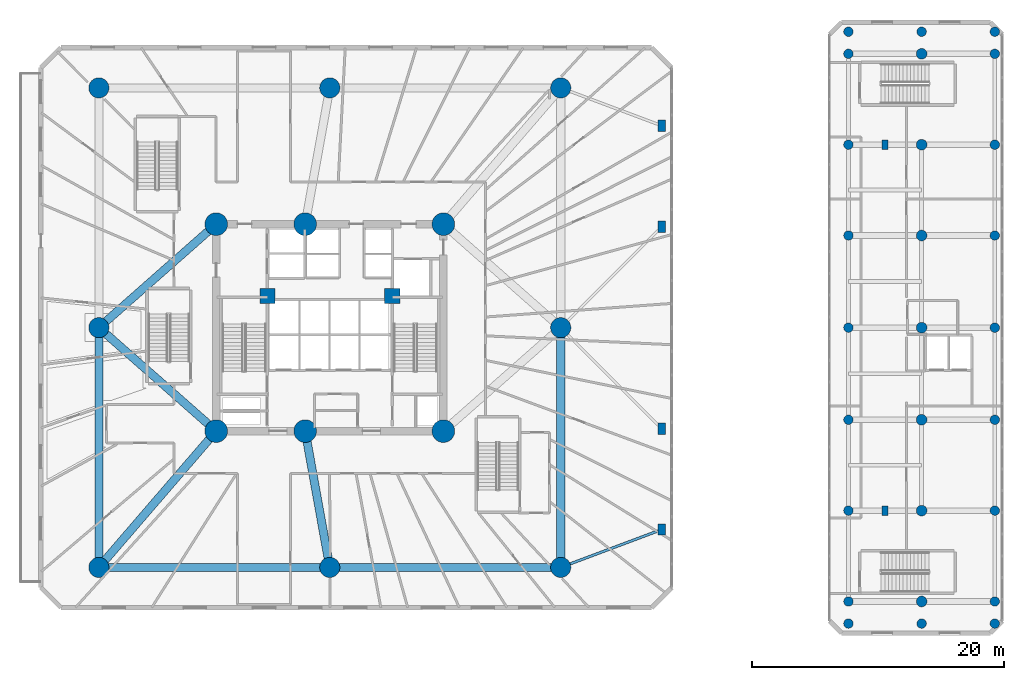
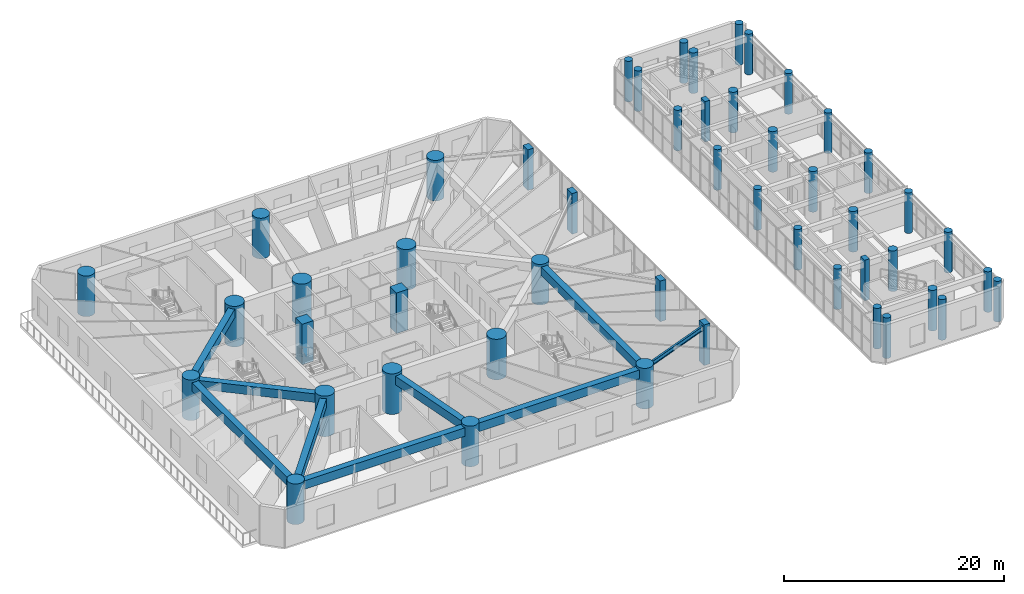
# One storey, part 1 of 24: 49 columns, 9 beams.
"""IFC4 building model written with IfcOpenShell, lengths in metres."""

from ifc_helpers import new_model, si_unit, direction, frame, origin, origin_with_axes, origin_2d, place, context, subcontext, project, spatial, rectangle, circle, i_section, extrude, source, transform, mapped, material, material_profile, profile_set, type_object, element, save


model = new_model("IFC4")

# Units and contexts
model_context = context("Model", 3, precision=1e-05, world=origin(), true_north=direction((0.0, 1.0)))
body_context = subcontext(model_context, "Body", "Model", "MODEL_VIEW")
ifc_project = project(units=[si_unit("LENGTHUNIT", "METRE"), si_unit("AREAUNIT", "SQUARE_METRE"), si_unit("VOLUMEUNIT", "CUBIC_METRE"), si_unit("PLANEANGLEUNIT", "RADIAN"), si_unit("MASSUNIT", "GRAM", prefix="KILO")], contexts=[model_context])

# Site, building, storey
site_placement = place(None, origin())
site = spatial("IfcSite", under=ifc_project, at=site_placement, CompositionType="ELEMENT")
building_placement = place(site_placement, origin())
building = spatial("IfcBuilding", under=site, at=building_placement, Name="Karkom Vertical University and Central Library", CompositionType="ELEMENT")
storey_placement = place(building_placement, frame((0.0, 0.0, 13.5)))
storey = spatial("IfcBuildingStorey", under=building, at=storey_placement, Name="L03", CompositionType="ELEMENT", Elevation=13.5)

# Columns
ifc_material_1 = material(Name="Concrete C40/50", Category="concrete")
ifc_material_profile_1 = material_profile(ifc_material_1, circle(Radius=0.375, at=origin_2d()), Name="RC-D750")
ifc_profile_set_1 = profile_set([ifc_material_profile_1], Name="Concrete C40/50")
column_type_1 = type_object("IfcColumnType", Name="STR-COL-C-LB2", PredefinedType="COLUMN", material=ifc_profile_set_1)
shared_shape_1 = source(origin_with_axes(), body_context, "Body", "SweptSolid", [
    extrude(circle(Radius=0.375, at=origin_2d()), origin(), (0.0, 0.0, 1.0), 4.5),
])
for number, where, z_axis, x_axis, name in (
    (1, (69.60009765625, 3.050048828125, 0.0), (0.0, 0.0, 1.0), (1.0, 0.0, 0.0), "Level 03 Library Vault End Column"),
    (2, (69.60009765625, 49.949951171875, 0.0), (0.0, 0.0, 1.0), (1.0, 0.0, 0.0), "Level 03 Library Vault End Column"),
    (3, (75.39990234375, 3.050048828125, 0.0), (0.0, 0.0, 1.0), (1.0, 0.0, 0.0), "Level 03 Library Vault End Column"),
    (4, (75.39990234375, 49.949951171875, 0.0), (0.0, 0.0, 1.0), (1.0, 0.0, 0.0), "Level 03 Library Vault End Column"),
    (5, (81.199951171875, 3.050048828125, 0.0), (0.0, 0.0, 1.0), (1.0, 0.0, 0.0), "Level 03 Library Vault End Column"),
    (6, (81.199951171875, 49.949951171875, 0.0), (0.0, 0.0, 1.0), (1.0, 0.0, 0.0), "Level 03 Library Vault End Column"),
    (7, (69.60009765625, 4.800048828125, 0.0), (0.0, 0.0, 1.0), (1.0, 0.0, 0.0), "Level 03 Central Library Column LC-1-1"),
    (8, (69.60009765625, 12.0, 0.0), (0.0, 0.0, 1.0), (1.0, 0.0, 0.0), "Level 03 Central Library Column LC-1-2"),
    (9, (69.60009765625, 19.199951171875, 0.0), (0.0, 0.0, 1.0), (1.0, 0.0, 0.0), "Level 03 Central Library Column LC-1-3"),
    (10, (69.60009765625, 26.5, 0.0), (0.0, 0.0, 1.0), (1.0, 0.0, 0.0), "Level 03 Central Library Column LC-1-4"),
    (11, (69.60009765625, 33.800048828125, 0.0), (0.0, 0.0, 1.0), (1.0, 0.0, 0.0), "Level 03 Central Library Column LC-1-5"),
    (12, (69.60009765625, 41.0, 0.0), (0.0, 0.0, 1.0), (1.0, 0.0, 0.0), "Level 03 Central Library Column LC-1-6"),
    (13, (69.60009765625, 48.199951171875, 0.0), (0.0, 0.0, 1.0), (1.0, 0.0, 0.0), "Level 03 Central Library Column LC-1-7"),
    (14, (81.199951171875, 4.800048828125, 0.0), (0.0, 0.0, 1.0), (1.0, 0.0, 0.0), "Level 03 Central Library Column LC-3-1"),
    (15, (81.199951171875, 12.0, 0.0), (0.0, 0.0, 1.0), (1.0, 0.0, 0.0), "Level 03 Central Library Column LC-3-2"),
    (16, (81.199951171875, 19.199951171875, 0.0), (0.0, 0.0, 1.0), (1.0, 0.0, 0.0), "Level 03 Central Library Column LC-3-3"),
    (17, (81.199951171875, 26.5, 0.0), (0.0, 0.0, 1.0), (1.0, 0.0, 0.0), "Level 03 Central Library Column LC-3-4"),
    (18, (81.199951171875, 33.800048828125, 0.0), (0.0, 0.0, 1.0), (1.0, 0.0, 0.0), "Level 03 Central Library Column LC-3-5"),
    (19, (81.199951171875, 41.0, 0.0), (0.0, 0.0, 1.0), (1.0, 0.0, 0.0), "Level 03 Central Library Column LC-3-6"),
    (20, (81.199951171875, 48.199951171875, 0.0), (0.0, 0.0, 1.0), (1.0, 0.0, 0.0), "Level 03 Central Library Column LC-3-7"),
):
    element("IfcColumn", number, at=place(storey_placement, frame(where, z_axis=z_axis, x_axis=x_axis)), inside=storey, type_object=column_type_1, Name=name, PredefinedType="COLUMN", context=body_context, shape_type="MappedRepresentation", body=[
        mapped(shared_shape_1, transform((0.0, 0.0, 0.0), scale=1.0)),
    ])
ifc_material_2 = material(Name="Concrete C50/60", Category="concrete")
ifc_material_profile_2 = material_profile(ifc_material_2, circle(Radius=0.89990234375, at=origin_2d()), Name="CFT-D1800")
ifc_profile_set_2 = profile_set([ifc_material_profile_2], Name="Concrete C50/60")
column_type_2 = type_object("IfcColumnType", Name="STR-COL-C-SC1", PredefinedType="COLUMN", material=ifc_profile_set_2)
shared_shape_2 = source(origin_with_axes(), body_context, "Body", "SweptSolid", [
    extrude(circle(Radius=0.89990234375, at=origin_2d()), origin(), (0.0, 0.0, 1.0), 4.5),
])
for number, where, z_axis, x_axis, name in (
    (21, (19.5, 18.300048828125, 0.0), (0.0, 0.0, 1.0), (1.0, 0.0, 0.0), "Level 03 Spine Mega-Column SC-1"),
    (22, (26.550048828125, 18.300048828125, 0.0), (0.0, 0.0, 1.0), (1.0, 0.0, 0.0), "Level 03 Spine Mega-Column SC-2"),
    (23, (37.5, 18.300048828125, 0.0), (0.0, 0.0, 1.0), (1.0, 0.0, 0.0), "Level 03 Spine Mega-Column SC-3"),
    (24, (19.5, 34.699951171875, 0.0), (0.0, 0.0, 1.0), (1.0, 0.0, 0.0), "Level 03 Spine Mega-Column SC-4"),
    (25, (26.550048828125, 34.699951171875, 0.0), (0.0, 0.0, 1.0), (1.0, 0.0, 0.0), "Level 03 Spine Mega-Column SC-5"),
    (26, (37.5, 34.699951171875, 0.0), (0.0, 0.0, 1.0), (1.0, 0.0, 0.0), "Level 03 Spine Mega-Column SC-6"),
):
    element("IfcColumn", number, at=place(storey_placement, frame(where, z_axis=z_axis, x_axis=x_axis)), inside=storey, type_object=column_type_2, Name=name, PredefinedType="COLUMN", context=body_context, shape_type="MappedRepresentation", body=[
        mapped(shared_shape_2, transform((0.0, 0.0, 0.0), scale=1.0)),
    ])
ifc_material_profile_3 = material_profile(ifc_material_2, rectangle(XDim=1.199951171875, YDim=1.199951171875, at=origin_2d()), Name="RC-1200x1200")
ifc_profile_set_3 = profile_set([ifc_material_profile_3], Name="Concrete C50/60")
column_type_3 = type_object("IfcColumnType", Name="STR-COL-C-CC1", PredefinedType="COLUMN", material=ifc_profile_set_3)
shared_shape_3 = source(origin_with_axes(), body_context, "Body", "SweptSolid", [
    extrude(rectangle(XDim=1.199951171875, YDim=1.199951171875, at=origin_2d()), origin(), (0.0, 0.0, 1.0), 4.5),
])
for number, where, z_axis, x_axis, name in (
    (27, (23.550048828125, 29.0, 0.0), (0.0, 0.0, 1.0), (1.0, 0.0, 0.0), "Level 03 Core Node Column CC-1"),
    (28, (33.449951171875, 29.0, 0.0), (0.0, 0.0, 1.0), (1.0, 0.0, 0.0), "Level 03 Core Node Column CC-2"),
):
    element("IfcColumn", number, at=place(storey_placement, frame(where, z_axis=z_axis, x_axis=x_axis)), inside=storey, type_object=column_type_3, Name=name, PredefinedType="COLUMN", context=body_context, shape_type="MappedRepresentation", body=[
        mapped(shared_shape_3, transform((0.0, 0.0, 0.0), scale=1.0)),
    ])
ifc_material_3 = material(Name="Precast concrete C45/55", Category="concrete")
ifc_material_profile_4 = material_profile(ifc_material_3, rectangle(XDim=0.60009765625, YDim=0.89990234375, at=origin_2d()), Name="PIL-600x900")
ifc_profile_set_4 = profile_set([ifc_material_profile_4], Name="Precast concrete C45/55")
column_type_4 = type_object("IfcColumnType", Name="STR-COL-PL-ARC1", PredefinedType="PILASTER", material=ifc_profile_set_4)
shared_shape_4 = source(origin_with_axes(), body_context, "Body", "SweptSolid", [
    extrude(rectangle(XDim=0.60009765625, YDim=0.89990234375, at=origin_2d()), origin(), (0.0, 0.0, 1.0), 4.5),
])
for number, where, z_axis, x_axis, name in (
    (29, (54.800048828125, 10.5, 0.0), (0.0, 0.0, 1.0), (1.0, 0.0, 0.0), "Level 03 Podium Arcade Pilaster PIL-1"),
    (30, (54.800048828125, 18.5, 0.0), (0.0, 0.0, 1.0), (1.0, 0.0, 0.0), "Level 03 Podium Arcade Pilaster PIL-2"),
    (31, (54.800048828125, 34.5, 0.0), (0.0, 0.0, 1.0), (1.0, 0.0, 0.0), "Level 03 Podium Arcade Pilaster PIL-3"),
    (32, (54.800048828125, 42.5, 0.0), (0.0, 0.0, 1.0), (1.0, 0.0, 0.0), "Level 03 Podium Arcade Pilaster PIL-4"),
):
    element("IfcColumn", number, at=place(storey_placement, frame(where, z_axis=z_axis, x_axis=x_axis)), inside=storey, type_object=column_type_4, Name=name, PredefinedType="PILASTER", context=body_context, shape_type="MappedRepresentation", body=[
        mapped(shared_shape_4, transform((0.0, 0.0, 0.0), scale=1.0)),
    ])
ifc_material_4 = material(Name="Concrete C45/55", Category="concrete")
ifc_material_profile_5 = material_profile(ifc_material_4, circle(Radius=0.425048828125, at=origin_2d()), Name="RC-D850")
ifc_profile_set_5 = profile_set([ifc_material_profile_5], Name="Concrete C45/55")
column_type_5 = type_object("IfcColumnType", Name="STR-COL-C-LB1", PredefinedType="COLUMN", material=ifc_profile_set_5)
shared_shape_5 = source(origin_with_axes(), body_context, "Body", "SweptSolid", [
    extrude(circle(Radius=0.425048828125, at=origin_2d()), origin(), (0.0, 0.0, 1.0), 4.5),
])
for number, where, z_axis, x_axis, name in (
    (33, (75.39990234375, 4.800048828125, 0.0), (0.0, 0.0, 1.0), (1.0, 0.0, 0.0), "Level 03 Central Library Column LC-2-1"),
    (34, (75.39990234375, 12.0, 0.0), (0.0, 0.0, 1.0), (1.0, 0.0, 0.0), "Level 03 Central Library Column LC-2-2"),
    (35, (75.39990234375, 19.199951171875, 0.0), (0.0, 0.0, 1.0), (1.0, 0.0, 0.0), "Level 03 Central Library Column LC-2-3"),
    (36, (75.39990234375, 26.5, 0.0), (0.0, 0.0, 1.0), (1.0, 0.0, 0.0), "Level 03 Central Library Column LC-2-4"),
    (37, (75.39990234375, 33.800048828125, 0.0), (0.0, 0.0, 1.0), (1.0, 0.0, 0.0), "Level 03 Central Library Column LC-2-5"),
    (38, (75.39990234375, 41.0, 0.0), (0.0, 0.0, 1.0), (1.0, 0.0, 0.0), "Level 03 Central Library Column LC-2-6"),
    (39, (75.39990234375, 48.199951171875, 0.0), (0.0, 0.0, 1.0), (1.0, 0.0, 0.0), "Level 03 Central Library Column LC-2-7"),
):
    element("IfcColumn", number, at=place(storey_placement, frame(where, z_axis=z_axis, x_axis=x_axis)), inside=storey, type_object=column_type_5, Name=name, PredefinedType="COLUMN", context=body_context, shape_type="MappedRepresentation", body=[
        mapped(shared_shape_5, transform((0.0, 0.0, 0.0), scale=1.0)),
    ])
ifc_material_profile_6 = material_profile(ifc_material_2, circle(Radius=0.800048828125, at=origin_2d()), Name="CFT-D1600")
ifc_profile_set_6 = profile_set([ifc_material_profile_6], Name="Concrete C50/60")
column_type_6 = type_object("IfcColumnType", Name="STR-COL-C-SC2", PredefinedType="COLUMN", material=ifc_profile_set_6)
shared_shape_6 = source(origin_with_axes(), body_context, "Body", "SweptSolid", [
    extrude(circle(Radius=0.800048828125, at=origin_2d()), origin(), (0.0, 0.0, 1.0), 4.5),
])
for number, where, z_axis, x_axis, name in (
    (40, (10.199951171875, 7.5, 0.0), (0.0, 0.0, 1.0), (1.0, 0.0, 0.0), "Level 03 Podium Mega-Column PMC-1"),
    (41, (28.5, 7.5, 0.0), (0.0, 0.0, 1.0), (1.0, 0.0, 0.0), "Level 03 Podium Mega-Column PMC-2"),
    (42, (46.800048828125, 7.5, 0.0), (0.0, 0.0, 1.0), (1.0, 0.0, 0.0), "Level 03 Podium Mega-Column PMC-3"),
    (43, (10.199951171875, 26.5, 0.0), (0.0, 0.0, 1.0), (1.0, 0.0, 0.0), "Level 03 Podium Mega-Column PMC-4"),
    (44, (46.800048828125, 26.5, 0.0), (0.0, 0.0, 1.0), (1.0, 0.0, 0.0), "Level 03 Podium Mega-Column PMC-5"),
    (45, (10.199951171875, 45.5, 0.0), (0.0, 0.0, 1.0), (1.0, 0.0, 0.0), "Level 03 Podium Mega-Column PMC-6"),
    (46, (28.5, 45.5, 0.0), (0.0, 0.0, 1.0), (1.0, 0.0, 0.0), "Level 03 Podium Mega-Column PMC-7"),
    (47, (46.800048828125, 45.5, 0.0), (0.0, 0.0, 1.0), (1.0, 0.0, 0.0), "Level 03 Podium Mega-Column PMC-8"),
):
    element("IfcColumn", number, at=place(storey_placement, frame(where, z_axis=z_axis, x_axis=x_axis)), inside=storey, type_object=column_type_6, Name=name, PredefinedType="COLUMN", context=body_context, shape_type="MappedRepresentation", body=[
        mapped(shared_shape_6, transform((0.0, 0.0, 0.0), scale=1.0)),
    ])
ifc_material_profile_7 = material_profile(ifc_material_3, rectangle(XDim=0.5, YDim=0.75, at=origin_2d()), Name="PIL-500x750")
ifc_profile_set_7 = profile_set([ifc_material_profile_7], Name="Precast concrete C45/55")
column_type_7 = type_object("IfcColumnType", Name="STR-COL-PL-SKG1", PredefinedType="PILASTER", material=ifc_profile_set_7)
shared_shape_7 = source(origin_with_axes(), body_context, "Body", "SweptSolid", [
    extrude(rectangle(XDim=0.5, YDim=0.75, at=origin_2d()), origin(), (0.0, 0.0, 1.0), 4.5),
])
for number, where, z_axis, x_axis, name in (
    (48, (72.5, 12.0, 0.0), (0.0, 0.0, 1.0), (1.0, 0.0, 0.0), "Level 03 Library Reading Hall Pier Pilaster 1"),
    (49, (72.5, 41.0, 0.0), (0.0, 0.0, 1.0), (1.0, 0.0, 0.0), "Level 03 Library Reading Hall Pier Pilaster 2"),
):
    element("IfcColumn", number, at=place(storey_placement, frame(where, z_axis=z_axis, x_axis=x_axis)), inside=storey, type_object=column_type_7, Name=name, PredefinedType="PILASTER", context=body_context, shape_type="MappedRepresentation", body=[
        mapped(shared_shape_7, transform((0.0, 0.0, 0.0), scale=1.0)),
    ])

# Beams
ifc_material_profile_8 = material_profile(ifc_material_2, rectangle(XDim=0.64990234375, YDim=0.949951171875, at=origin_2d()), Name="RCG-650x950")
ifc_profile_set_8 = profile_set([ifc_material_profile_8], Name="Concrete C50/60")
beam_type_1 = type_object("IfcBeamType", Name="STR-BM-BG-1", PredefinedType="USERDEFINED", material=ifc_profile_set_8)
shared_shape_8 = source(origin_with_axes(), body_context, "Body", "SweptSolid", [
    extrude(rectangle(XDim=0.64990234375, YDim=0.949951171875, at=origin_2d()), origin(), (0.0, 0.0, 1.0), 18.300048828125),
])
for number, where, z_axis, x_axis, name in (
    (50, (10.199951171875, 7.5, 3.75), (1.0, 0.0, 0.0), (0.0, 1.0, 0.0), "Level 03 Podium Primary Girder 01"),
    (51, (28.5, 7.5, 3.75), (1.0, 0.0, 0.0), (0.0, 1.0, 0.0), "Level 03 Podium Primary Girder 02"),
):
    element("IfcBeam", number, at=place(storey_placement, frame(where, z_axis=z_axis, x_axis=x_axis)), inside=storey, type_object=beam_type_1, Name=name, ObjectType="GIRDER", PredefinedType="USERDEFINED", context=body_context, shape_type="MappedRepresentation", body=[
        mapped(shared_shape_8, transform((0.0, 0.0, 0.0), scale=1.0)),
    ])
shared_shape_9 = source(origin_with_axes(), body_context, "Body", "SweptSolid", [
    extrude(rectangle(XDim=0.64990234375, YDim=0.949951171875, at=origin_2d()), origin(), (0.0, 0.0, 1.0), 19.0),
])
for number, where, z_axis, x_axis, name in (
    (52, (10.199951171875, 7.5, 3.75), (0.0, 1.0, 0.0), (-1.0, 0.0, 0.0), "Level 03 Podium Primary Girder 03"),
    (53, (46.800048828125, 7.5, 3.75), (0.0, 1.0, 0.0), (-1.0, 0.0, 0.0), "Level 03 Podium Primary Girder 05"),
):
    element("IfcBeam", number, at=place(storey_placement, frame(where, z_axis=z_axis, x_axis=x_axis)), inside=storey, type_object=beam_type_1, Name=name, ObjectType="GIRDER", PredefinedType="USERDEFINED", context=body_context, shape_type="MappedRepresentation", body=[
        mapped(shared_shape_9, transform((0.0, 0.0, 0.0), scale=1.0)),
    ])
shared_shape_10 = source(origin_with_axes(), body_context, "Body", "SweptSolid", [
    extrude(rectangle(XDim=0.64990234375, YDim=0.949951171875, at=origin_2d()), origin(), (0.0, 0.0, 1.0), 14.25244140625),
])
beam_1_placement = place(storey_placement, frame((10.199951171875, 7.5, 3.75), z_axis=(0.652523408586, 0.757768567076, 0.0), x_axis=(-0.757768567076, 0.652523408586, 0.0)))
element("IfcBeam", 54, at=beam_1_placement, inside=storey, type_object=beam_type_1, Name="Level 03 Podium Primary Girder 09", ObjectType="GIRDER", PredefinedType="USERDEFINED", context=body_context, shape_type="MappedRepresentation", body=[
    mapped(shared_shape_10, transform((0.0, 0.0, 0.0), scale=1.0)),
])
shared_shape_11 = source(origin_with_axes(), body_context, "Body", "SweptSolid", [
    extrude(rectangle(XDim=0.64990234375, YDim=0.949951171875, at=origin_2d()), origin(), (0.0, 0.0, 1.0), 10.974609375),
])
beam_2_placement = place(storey_placement, frame((28.5, 7.5, 3.75), z_axis=(-0.177677443813, 0.984088779511, 0.0), x_axis=(-0.984088779511, -0.177677443813, 0.0)))
element("IfcBeam", 55, at=beam_2_placement, inside=storey, type_object=beam_type_1, Name="Level 03 Podium Primary Girder 10", ObjectType="GIRDER", PredefinedType="USERDEFINED", context=body_context, shape_type="MappedRepresentation", body=[
    mapped(shared_shape_11, transform((0.0, 0.0, 0.0), scale=1.0)),
])
shared_shape_12 = source(origin_with_axes(), body_context, "Body", "SweptSolid", [
    extrude(rectangle(XDim=0.64990234375, YDim=0.949951171875, at=origin_2d()), origin(), (0.0, 0.0, 1.0), 12.398681640625),
])
for number, where, z_axis, x_axis, name in (
    (56, (10.199951171875, 26.5, 3.75), (0.75007685274, -0.661350674743, 0.0), (0.661350674743, 0.75007685274, 0.0), "Level 03 Podium Primary Girder 15"),
    (57, (10.199951171875, 26.5, 3.75), (0.75007685274, 0.661350674743, 0.0), (-0.661350674743, 0.75007685274, 0.0), "Level 03 Podium Primary Girder 16"),
):
    element("IfcBeam", number, at=place(storey_placement, frame(where, z_axis=z_axis, x_axis=x_axis)), inside=storey, type_object=beam_type_1, Name=name, ObjectType="GIRDER", PredefinedType="USERDEFINED", context=body_context, shape_type="MappedRepresentation", body=[
        mapped(shared_shape_12, transform((0.0, 0.0, 0.0), scale=1.0)),
    ])
ifc_material_5 = material(Name="Steel S355", Category="steel")
ifc_material_profile_9 = material_profile(ifc_material_5, i_section(OverallWidth=0.199951171875, OverallDepth=0.5, WebThickness=0.01025390625, FlangeThickness=0.01611328125, FilletRadius=0.02099609375, at=origin_2d()), Name="IPE 500")
ifc_profile_set_9 = profile_set([ifc_material_profile_9], Name="Steel S355")
beam_type_2 = type_object("IfcBeamType", Name="STR-BM-SB-IPE500", PredefinedType="BEAM", material=ifc_profile_set_9)
shared_shape_13 = source(origin_with_axes(), body_context, "Body", "SweptSolid", [
    extrude(i_section(OverallWidth=0.199951171875, OverallDepth=0.5, WebThickness=0.01025390625, FlangeThickness=0.01611328125, FilletRadius=0.02099609375, at=origin_2d()), origin(), (0.0, 0.0, 1.0), 8.5439453125),
])
beam_3_placement = place(storey_placement, frame((46.800048828125, 7.5, 3.97509765625), z_axis=(0.936329177569, 0.351123441588, 0.0), x_axis=(-0.351123441588, 0.936329177569, 0.0)))
element("IfcBeam", 58, at=beam_3_placement, inside=storey, type_object=beam_type_2, Name="Level 03 Arcade Tie Beam 1", PredefinedType="BEAM", context=body_context, shape_type="MappedRepresentation", body=[
    mapped(shared_shape_13, transform((0.0, 0.0, 0.0), scale=1.0)),
])

save(model, "model.ifc")
